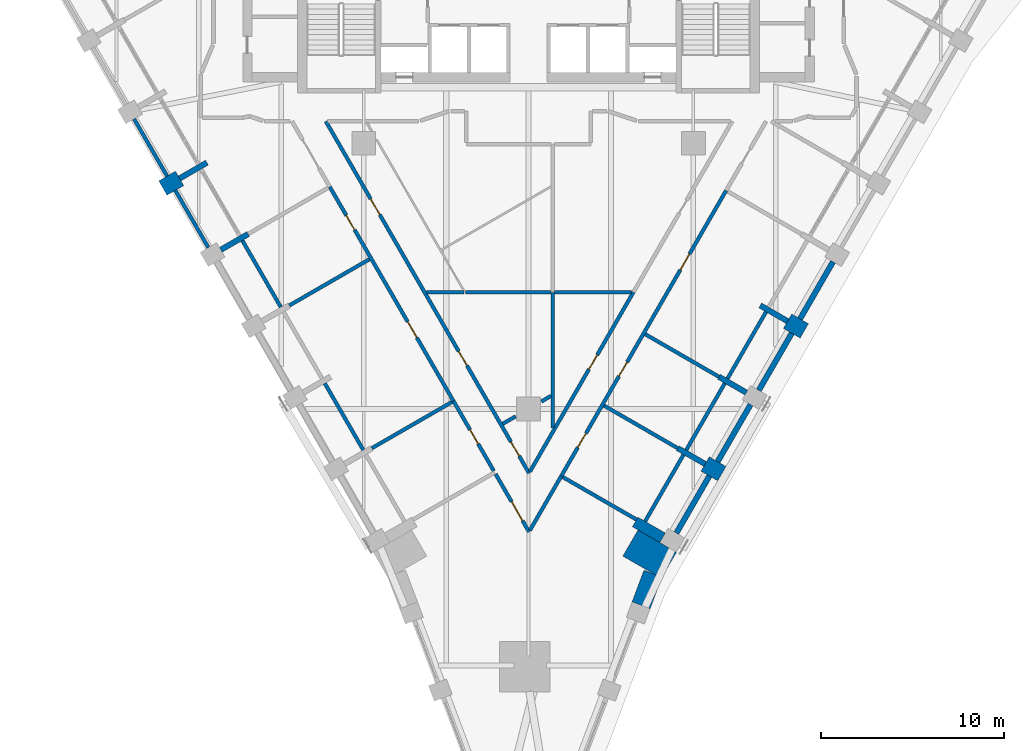
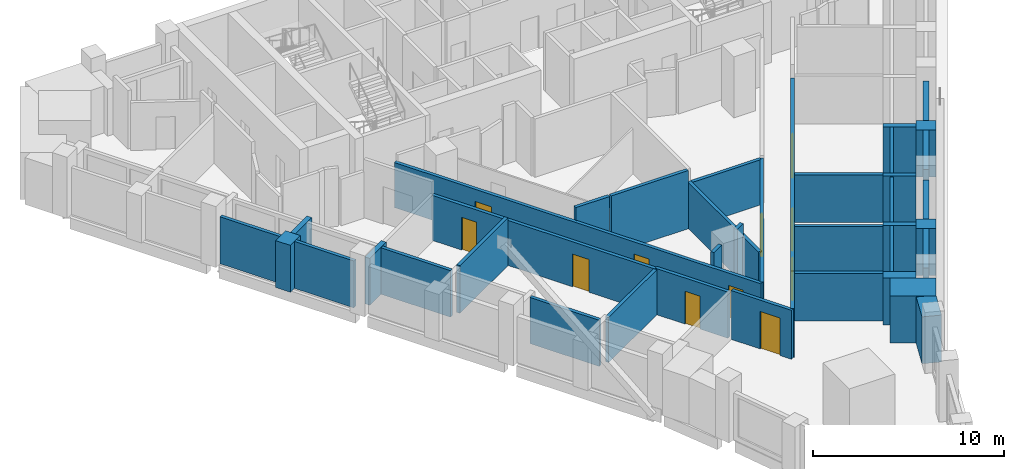
# One storey, part 3 of 10: 40 walls, 11 doors, 11 openings.
"""IFC4 building model written with IfcOpenShell, lengths in metres."""

from ifc_helpers import new_model, si_unit, direction, frame, frame_2d, origin, place, context, subcontext, project, spatial, polyline, rectangle, outline, extrude, material, layer, layer_set, type_object, element, fill, save


model = new_model("IFC4")

# Units and contexts
model_context = context("Model", 3, precision=1e-05, world=origin(), true_north=direction((0.0, 1.0)))
body_context = subcontext(model_context, "Body", "Model", "MODEL_VIEW")
ifc_project = project(units=[si_unit("LENGTHUNIT", "METRE"), si_unit("AREAUNIT", "SQUARE_METRE"), si_unit("VOLUMEUNIT", "CUBIC_METRE"), si_unit("PLANEANGLEUNIT", "RADIAN"), si_unit("MASSUNIT", "GRAM", prefix="KILO")], contexts=[model_context])

# Site, building, storey
site_placement = place(None, origin())
site = spatial("IfcSite", under=ifc_project, at=site_placement, CompositionType="ELEMENT")
building_placement = place(site_placement, origin())
building = spatial("IfcBuilding", under=site, at=building_placement, Name="Calabash Gate Tower", CompositionType="ELEMENT")
storey_placement = place(building_placement, frame((0.0, 0.0, 144.60009765625)))
storey = spatial("IfcBuildingStorey", under=building, at=storey_placement, Name="L33", CompositionType="ELEMENT", Elevation=144.60009765625)

# Walls
ifc_material_1 = material(Name="Terracotta brick masonry, exposed face", Category="masonry")
ifc_layer_1 = layer(ifc_material_1, 2.425048828125)
ifc_layer_set_1 = layer_set([ifc_layer_1], Name="Brick corner mass wall 2425")
wall_type_1 = type_object("IfcWallType", Name="Brick corner mass wall 2425", PredefinedType="SOLIDWALL", material=ifc_layer_set_1)
wall_1_placement = place(storey_placement, origin())
element("IfcWall", 1, at=wall_1_placement, inside=storey, type_object=wall_type_1, Name="Brick corner pier S09 2", PredefinedType="SOLIDWALL", context=body_context, shape_type="SweptSolid", body=[
    extrude(outline(polyline([(8.0751953125, -19.819091796875), (5.97509765625, -18.6064453125), (5.14990234375, -20.035888671875), (7.25, -21.248291015625), (8.0751953125, -19.819091796875)])), origin(), (0.0, 0.0, 1.0), 3.0),
])
ifc_material_2 = material(Name="Terracotta brick masonry, exposed face", Category="masonry")
ifc_layer_2 = layer(ifc_material_2, 1.050048828125)
ifc_layer_set_2 = layer_set([ifc_layer_2], Name="Brick end wall 1050")
wall_type_2 = type_object("IfcWallType", Name="Brick end wall 1050", PredefinedType="SOLIDWALL", material=ifc_layer_set_2)
for number, where, z_axis, x_axis, name in (
    (2, (-19.959716796875, 0.05615234375, 0.0), (0.0, 0.0, 1.0), (0.865988129768, 0.500064554934, 0.0), "Brick pier S09 SW0.3"),
    (3, (9.640869140625, -15.00732421875, 0.0), (0.0, 0.0, 1.0), (0.866088799389, -0.499890179513, 0.0), "Brick pier S09 SE4.1"),
    (4, (15.05029296875, -7.738037109375, 0.0), (0.0, 0.0, 1.0), (-0.865988129768, 0.500064554934, 0.0), "Brick pier S09 SE4.3"),
):
    element("IfcWall", number, at=place(storey_placement, frame(where, z_axis=z_axis, x_axis=x_axis)), inside=storey, type_object=wall_type_2, Name=name, PredefinedType="SOLIDWALL", context=body_context, shape_type="SweptSolid", body=[
        extrude(rectangle(XDim=1.050048828125, YDim=0.89990234375, at=frame_2d((0.52490234375, 0.0))), origin(), (0.0, 0.0, 1.0), 3.0),
    ])
wall_2_placement = place(storey_placement, origin())
element("IfcWall", 5, at=wall_2_placement, inside=storey, type_object=wall_type_2, Name="Brick end wall S09 3", PredefinedType="SOLIDWALL", context=body_context, shape_type="SweptSolid", body=[
    extrude(outline(polyline([(6.303955078125, -20.80126953125), (5.653564453125, -22.53125), (5.65380859375, -22.53125), (5.65380859375, -22.531005859375), (6.636474609375, -22.900390625), (7.271484375, -21.2109375), (7.25, -21.248291015625), (6.795166015625, -20.98583984375), (6.303955078125, -20.80126953125)])), origin(), (0.0, 0.0, 1.0), 3.0),
])
ifc_material_3 = material(Name="Terracotta brick masonry, exposed face", Category="masonry")
ifc_layer_3 = layer(ifc_material_3, 0.300048828125)
ifc_layer_set_3 = layer_set([ifc_layer_3], Name="Brick infill panel wall 300")
wall_type_3 = type_object("IfcWallType", Name="Brick infill panel wall 300", PredefinedType="SOLIDWALL", material=ifc_layer_set_3)
wall_3_placement = place(storey_placement, frame((8.070556640625, -18.777099609375, 0.0), z_axis=(0.0, 0.0, 1.0), x_axis=(0.500012057535, 0.866018442252, 0.0)))
element("IfcWall", 6, at=wall_3_placement, inside=storey, type_object=wall_type_3, Name="Brick panel S09 SE4.1", PredefinedType="SOLIDWALL", context=body_context, shape_type="SweptSolid", body=[
    extrude(rectangle(XDim=3.60009765625, YDim=0.300048828125, at=frame_2d((1.800048828125, 0.0))), origin(), (0.0, 0.0, 1.0), 3.0),
])
wall_4_placement = place(storey_placement, frame((10.320556640625, -14.8798828125, 0.0), z_axis=(0.0, 0.0, 1.0), x_axis=(0.500012057535, 0.866018442252, 0.0)))
element("IfcWall", 7, at=wall_4_placement, inside=storey, type_object=wall_type_3, Name="Brick panel S09 SE4.2", PredefinedType="SOLIDWALL", context=body_context, shape_type="SweptSolid", body=[
    extrude(rectangle(XDim=3.60009765625, YDim=0.300048828125, at=frame_2d((1.800048828125, 0.0))), origin(), (0.0, 0.0, 1.0), 2.949951171875),
])
for number, where, z_axis, x_axis, name in (
    (8, (12.570556640625, -10.98291015625, 0.0), (0.0, 0.0, 1.0), (0.500012057535, 0.866018442252, 0.0), "Brick panel S09 SE4.3"),
    (9, (14.820556640625, -7.085693359375, 0.0), (0.0, 0.0, 1.0), (0.500012057535, 0.866018442252, 0.0), "Brick panel S09 SE4.4"),
):
    element("IfcWall", number, at=place(storey_placement, frame(where, z_axis=z_axis, x_axis=x_axis)), inside=storey, type_object=wall_type_3, Name=name, PredefinedType="SOLIDWALL", context=body_context, shape_type="SweptSolid", body=[
        extrude(rectangle(XDim=3.60009765625, YDim=0.300048828125, at=frame_2d((1.800048828125, 0.0))), origin(), (0.0, 0.0, 1.0), 3.0),
    ])
ifc_material_4 = material(Name="Terracotta brick masonry, exposed face", Category="masonry")
ifc_layer_4 = layer(ifc_material_4, 0.300048828125)
ifc_layer_set_4 = layer_set([ifc_layer_4], Name="Brick loggia cheek wall 300")
wall_type_4 = type_object("IfcWallType", Name="Brick loggia cheek wall 300", PredefinedType="SOLIDWALL", material=ifc_layer_set_4)
wall_5_placement = place(storey_placement, frame((-19.05029296875, 0.581298828125, 0.0), z_axis=(0.0, 0.0, 1.0), x_axis=(0.866013532718, 0.500020560727, 0.0)))
element("IfcWall", 10, at=wall_5_placement, inside=storey, type_object=wall_type_4, Name="Loggia cheek S09 SW0.3", PredefinedType="SOLIDWALL", context=body_context, shape_type="SweptSolid", body=[
    extrude(rectangle(XDim=1.72509765625, YDim=0.300048828125, at=frame_2d((0.862548828125, 0.0))), origin(), (0.0, 0.0, 1.0), 3.0),
])
wall_6_placement = place(storey_placement, frame((-16.798583984375, -3.31494140625, 0.0), z_axis=(0.0, 0.0, 1.0), x_axis=(0.866010975815, 0.500024989144, 0.0)))
element("IfcWall", 11, at=wall_6_placement, inside=storey, type_object=wall_type_4, Name="Loggia cheek S09 SW0.4", PredefinedType="SOLIDWALL", context=body_context, shape_type="SweptSolid", body=[
    extrude(rectangle(XDim=1.72314453125, YDim=0.300048828125, at=frame_2d((0.861572265625, 0.0))), origin(), (0.0, 0.0, 1.0), 3.0),
])
wall_7_placement = place(storey_placement, frame((7.31591796875, -19.0341796875, 0.0), z_axis=(0.0, 0.0, 1.0), x_axis=(-0.866013532718, 0.500020560727, 0.0)))
element("IfcWall", 12, at=wall_7_placement, inside=storey, type_object=wall_type_4, Name="Loggia cheek S09 SE4.0", PredefinedType="SOLIDWALL", context=body_context, shape_type="SweptSolid", body=[
    extrude(rectangle(XDim=1.72509765625, YDim=0.60009765625, at=frame_2d((0.862548828125, 0.0))), origin(), (0.0, 0.0, 1.0), 3.0),
])
for number, where, z_axis, x_axis, name in (
    (13, (9.640869140625, -15.00732421875, 0.0), (0.0, 0.0, 1.0), (-0.866013532718, 0.500020560727, 0.0), "Loggia cheek S09 SE4.1"),
    (14, (11.890869140625, -11.110107421875, 0.0), (0.0, 0.0, 1.0), (-0.866013532718, 0.500020560727, 0.0), "Loggia cheek S09 SE4.2"),
):
    element("IfcWall", number, at=place(storey_placement, frame(where, z_axis=z_axis, x_axis=x_axis)), inside=storey, type_object=wall_type_4, Name=name, PredefinedType="SOLIDWALL", context=body_context, shape_type="SweptSolid", body=[
        extrude(rectangle(XDim=1.72509765625, YDim=0.300048828125, at=frame_2d((0.862548828125, 0.0))), origin(), (0.0, 0.0, 1.0), 3.0),
    ])
wall_8_placement = place(storey_placement, frame((12.64697265625, -6.3505859375, 0.0), z_axis=(0.0, 0.0, 1.0), x_axis=(0.866074815912, -0.499914405916, 0.0)))
element("IfcWall", 15, at=wall_8_placement, inside=storey, type_object=wall_type_4, Name="Loggia cheek S09 SE4.3", PredefinedType="SOLIDWALL", context=body_context, shape_type="SweptSolid", body=[
    extrude(rectangle(XDim=1.724853515625, YDim=0.300048828125, at=frame_2d((0.8623046875, 0.0))), origin(), (0.0, 0.0, 1.0), 3.0),
])

# Wall, opening, door
ifc_material_5 = material(Name="Gypsum board on steel studs, mineral wool", Category="steel")
ifc_layer_5 = layer(ifc_material_5, 0.199951171875)
ifc_layer_set_5 = layer_set([ifc_layer_5], Name="Partition 200 gypsum board EI 60")
wall_type_5 = type_object("IfcWallType", Name="Partition 200 gypsum board EI 60", PredefinedType="PARTITIONING", material=ifc_layer_set_5)
wall_9_placement = place(storey_placement, frame((-1.7978515625, -15.5546875, 0.0), z_axis=(0.0, 0.0, 1.0), x_axis=(0.500381369408, -0.865805108064, 0.0)))
wall_9 = element("IfcWall", 16, at=wall_9_placement, inside=storey, type_object=wall_type_5, Name="Partition", PredefinedType="PARTITIONING", context=body_context, shape_type="SweptSolid", body=[
    extrude(rectangle(XDim=3.645263671875, YDim=0.199951171875, at=frame_2d((1.82275390625, 0.0))), origin(), (0.0, 0.0, 1.0), 3.1279296875),
])
opening_1_placement = place(wall_9_placement, frame((1.74462890625, 0.0, 0.0)))
opening_1 = element("IfcOpeningElement", 17, at=opening_1_placement, cuts=wall_9, Name="Opening 33-35-016", PredefinedType="OPENING", context=body_context, shape_type="SweptSolid", body=[
    extrude(rectangle(XDim=1.199951171875, YDim=2.39990234375, at=frame_2d((0.60009765625, 1.199951171875))), frame((0.0, 0.10986328125, 0.0), z_axis=(0.0, -1.0, 0.0), x_axis=(1.0, 0.0, 0.0)), (0.0, 0.0, 1.0), 0.219970703125),
])
ifc_material_6 = material(Name="Steel fire door set with fire-resisting glazing", Category="steel")
door_type_1 = type_object("IfcDoorType", Name="OD3 Boardroom door 1200x2400", OperationType="NOTDEFINED", PredefinedType="DOOR", material=ifc_material_6)
door_1_placement = place(opening_1_placement, origin())
door_1 = element("IfcDoor", 18, at=door_1_placement, inside=storey, type_object=door_type_1, Name="Boardroom door", OperationType="SINGLE_SWING_RIGHT", OverallHeight=2.39990234375, OverallWidth=1.199951171875, PredefinedType="DOOR", context=body_context, shape_type="SweptSolid", body=[
    extrude(rectangle(XDim=1.199951171875, YDim=2.39990234375, at=frame_2d((0.60009765625, 1.199951171875))), frame((0.0, 0.02490234375, 0.0), z_axis=(0.0, -1.0, 0.0), x_axis=(1.0, 0.0, 0.0)), (0.0, 0.0, 1.0), 0.050048828125),
])
fill(opening_1, door_1)

# Walls
wall_10_placement = place(storey_placement, frame((1.869384765625, -15.71875, 0.0), z_axis=(0.0, 0.0, 1.0), x_axis=(0.866183837695, -0.499725483956, 0.0)))
element("IfcWall", 19, at=wall_10_placement, inside=storey, type_object=wall_type_5, Name="Partition", PredefinedType="PARTITIONING", context=body_context, shape_type="SweptSolid", body=[
    extrude(rectangle(XDim=4.6494140625, YDim=0.199951171875, at=frame_2d((2.32470703125, 0.0))), origin(), (0.0, 0.0, 1.0), 3.0517578125),
])
wall_11_placement = place(storey_placement, frame((0.076171875, -18.624267578125, 0.0), z_axis=(0.0, 0.0, 1.0), x_axis=(0.500452706258, 0.865763875892, 0.0)))
element("IfcWall", 20, at=wall_11_placement, inside=storey, type_object=wall_type_5, Name="Partition", PredefinedType="PARTITIONING", context=body_context, shape_type="SweptSolid", body=[
    extrude(rectangle(XDim=3.414306640625, YDim=0.199951171875, at=frame_2d((1.70703125, 0.0))), origin(), (0.0, 0.0, 1.0), 3.1279296875),
])

# Wall, opening, door
wall_12_placement = place(storey_placement, frame((0.076171875, -15.423095703125, 0.0), z_axis=(0.0, 0.0, 1.0), x_axis=(0.499393409799, 0.866375335666, 0.0)))
wall_12 = element("IfcWall", 21, at=wall_12_placement, inside=storey, type_object=wall_type_5, Name="Partition", PredefinedType="PARTITIONING", context=body_context, shape_type="SweptSolid", body=[
    extrude(rectangle(XDim=11.30615234375, YDim=0.199951171875, at=frame_2d((5.653076171875, 0.0))), origin(), (0.0, 0.0, 1.0), 2.884033203125),
])
opening_2_placement = place(wall_12_placement, frame((6.455078125, 0.0, 0.0)))
opening_2 = element("IfcOpeningElement", 22, at=opening_2_placement, cuts=wall_12, Name="Opening 33-35-011", PredefinedType="OPENING", context=body_context, shape_type="SweptSolid", body=[
    extrude(rectangle(XDim=0.89990234375, YDim=2.10009765625, at=frame_2d((0.449951171875, 1.050048828125))), frame((0.0, 0.10986328125, 0.0), z_axis=(0.0, -1.0, 0.0), x_axis=(1.0, 0.0, 0.0)), (0.0, 0.0, 1.0), 0.219970703125),
])
ifc_material_7 = material(Name="Steel fire door set with fire-resisting glazing", Category="steel")
door_type_2 = type_object("IfcDoorType", Name="SD3 Store door 900x2100", OperationType="NOTDEFINED", PredefinedType="DOOR", material=ifc_material_7)
door_2_placement = place(opening_2_placement, origin())
door_2 = element("IfcDoor", 23, at=door_2_placement, inside=storey, type_object=door_type_2, Name="Store door", OperationType="SINGLE_SWING_RIGHT", OverallHeight=2.10009765625, OverallWidth=0.89990234375, PredefinedType="DOOR", context=body_context, shape_type="SweptSolid", body=[
    extrude(rectangle(XDim=0.89990234375, YDim=2.10009765625, at=frame_2d((0.449951171875, 1.050048828125))), frame((0.0, 0.02490234375, 0.0), z_axis=(0.0, -1.0, 0.0), x_axis=(1.0, 0.0, 0.0)), (0.0, 0.0, 1.0), 0.050048828125),
])
fill(opening_2, door_2)

wall_13_placement = place(storey_placement, frame((-4.09716796875, -11.572509765625, 0.0), z_axis=(0.0, 0.0, 1.0), x_axis=(0.500013981145, -0.866017331616, 0.0)))
wall_13 = element("IfcWall", 24, at=wall_13_placement, inside=storey, type_object=wall_type_5, Name="Partition", PredefinedType="PARTITIONING", context=body_context, shape_type="SweptSolid", body=[
    extrude(rectangle(XDim=4.397705078125, YDim=0.199951171875, at=frame_2d((2.19873046875, 0.0))), origin(), (0.0, 0.0, 1.0), 2.949951171875),
])
opening_3_placement = place(wall_13_placement, frame((1.798095703125, 0.0, 0.0)))
opening_3 = element("IfcOpeningElement", 25, at=opening_3_placement, cuts=wall_13, Name="Opening 33-35-003", PredefinedType="OPENING", context=body_context, shape_type="SweptSolid", body=[
    extrude(rectangle(XDim=0.89990234375, YDim=2.10009765625, at=frame_2d((0.449951171875, 1.050048828125))), frame((0.0, 0.10986328125, 0.0), z_axis=(0.0, -1.0, 0.0), x_axis=(1.0, 0.0, 0.0)), (0.0, 0.0, 1.0), 0.219970703125),
])
door_3_placement = place(opening_3_placement, origin())
door_3 = element("IfcDoor", 26, at=door_3_placement, inside=storey, type_object=door_type_2, Name="Store door", OperationType="SINGLE_SWING_LEFT", OverallHeight=2.10009765625, OverallWidth=0.89990234375, PredefinedType="DOOR", context=body_context, shape_type="SweptSolid", body=[
    extrude(rectangle(XDim=0.89990234375, YDim=2.10009765625, at=frame_2d((0.449951171875, 1.050048828125))), frame((0.0, 0.02490234375, 0.0), z_axis=(0.0, -1.0, 0.0), x_axis=(1.0, 0.0, 0.0)), (0.0, 0.0, 1.0), 0.050048828125),
])
fill(opening_3, door_3)

# Walls
wall_14_placement = place(storey_placement, frame((-1.412841796875, -12.813720703125, 0.0), z_axis=(0.0, 0.0, 1.0), x_axis=(0.866906303058, 0.498471124258, 0.0)))
element("IfcWall", 27, at=wall_14_placement, inside=storey, type_object=wall_type_5, Name="Partition", PredefinedType="PARTITIONING", context=body_context, shape_type="SweptSolid", body=[
    extrude(rectangle(XDim=0.822265625, YDim=0.199951171875, at=frame_2d((0.4111328125, 0.0))), origin(), (0.0, 0.0, 1.0), 3.72998046875),
])
wall_15_placement = place(storey_placement, frame((4.12109375, -11.818115234375, 0.0), z_axis=(0.0, 0.0, 1.0), x_axis=(0.865845361661, -0.500311712526, 0.0)))
element("IfcWall", 28, at=wall_15_placement, inside=storey, type_object=wall_type_5, Name="Partition", PredefinedType="PARTITIONING", context=body_context, shape_type="SweptSolid", body=[
    extrude(rectangle(XDim=4.64990234375, YDim=0.199951171875, at=frame_2d((2.324951171875, 0.0))), origin(), (0.0, 0.0, 1.0), 2.884033203125),
])
wall_16_placement = place(storey_placement, frame((-8.556396484375, -14.14501953125, 0.0), z_axis=(0.0, 0.0, 1.0), x_axis=(0.866191221831, 0.499712684673, 0.0)))
element("IfcWall", 29, at=wall_16_placement, inside=storey, type_object=wall_type_5, Name="Partition", PredefinedType="PARTITIONING", context=body_context, shape_type="SweptSolid", body=[
    extrude(rectangle(XDim=5.04833984375, YDim=0.199951171875, at=frame_2d((2.524169921875, 0.0))), origin(), (0.0, 0.0, 1.0), 2.884033203125),
])
wall_17_placement = place(storey_placement, frame((0.699951171875, -11.595703125, 0.0), z_axis=(0.0, 0.0, 1.0), x_axis=(0.866015917575, 0.500016430238, 0.0)))
element("IfcWall", 30, at=wall_17_placement, inside=storey, type_object=wall_type_5, Name="Partition", PredefinedType="PARTITIONING", context=body_context, shape_type="SweptSolid", body=[
    extrude(rectangle(XDim=0.623046875, YDim=0.199951171875, at=frame_2d((0.3115234375, 0.0))), origin(), (0.0, 0.0, 1.0), 3.72998046875),
])

# Wall, openings, doors
wall_18_placement = place(storey_placement, frame((-10.84814453125, 0.12060546875, 0.0), z_axis=(0.0, 0.0, 1.0), x_axis=(0.499997969693, -0.866026575979, 0.0)))
wall_18 = element("IfcWall", 31, at=wall_18_placement, inside=storey, type_object=wall_type_5, Name="Partition", PredefinedType="PARTITIONING", context=body_context, shape_type="SweptSolid", body=[
    extrude(rectangle(XDim=13.5, YDim=0.199951171875, at=frame_2d((6.75, 0.0))), origin(), (0.0, 0.0, 1.0), 2.884033203125),
])
opening_4_placement = place(wall_18_placement, frame((1.7998046875, 0.0, 0.0)))
opening_4 = element("IfcOpeningElement", 32, at=opening_4_placement, cuts=wall_18, Name="Opening 33-35-001", PredefinedType="OPENING", context=body_context, shape_type="SweptSolid", body=[
    extrude(rectangle(XDim=0.89990234375, YDim=2.10009765625, at=frame_2d((0.449951171875, 1.050048828125))), frame((0.0, 0.10986328125, 0.0), z_axis=(0.0, -1.0, 0.0), x_axis=(1.0, 0.0, 0.0)), (0.0, 0.0, 1.0), 0.219970703125),
])
opening_5_placement = place(wall_18_placement, frame((8.5, 0.0, 0.0)))
opening_5 = element("IfcOpeningElement", 33, at=opening_5_placement, cuts=wall_18, Name="Opening 33-35-002", PredefinedType="OPENING", context=body_context, shape_type="SweptSolid", body=[
    extrude(rectangle(XDim=1.0, YDim=2.10009765625, at=frame_2d((0.5, 1.050048828125))), frame((0.0, 0.10986328125, 0.0), z_axis=(0.0, -1.0, 0.0), x_axis=(1.0, 0.0, 0.0)), (0.0, 0.0, 1.0), 0.219970703125),
])
ifc_material_8 = material(Name="Steel fire door set with fire-resisting glazing", Category="steel")
door_type_3 = type_object("IfcDoorType", Name="LD2 Meeting room door 1000x2100", OperationType="NOTDEFINED", PredefinedType="DOOR", material=ifc_material_8)
door_4_placement = place(opening_5_placement, origin())
door_4 = element("IfcDoor", 34, at=door_4_placement, inside=storey, type_object=door_type_3, Name="Meeting room door", OperationType="SINGLE_SWING_RIGHT", OverallHeight=2.10009765625, OverallWidth=1.0, PredefinedType="DOOR", context=body_context, shape_type="SweptSolid", body=[
    extrude(rectangle(XDim=1.0, YDim=2.10009765625, at=frame_2d((0.5, 1.050048828125))), frame((0.0, 0.02490234375, 0.0), z_axis=(0.0, -1.0, 0.0), x_axis=(1.0, 0.0, 0.0)), (0.0, 0.0, 1.0), 0.050048828125),
])
fill(opening_5, door_4)
ifc_material_9 = material(Name="Painted timber door", Category="wood")
door_type_4 = type_object("IfcDoorType", Name="OD1 Office door 900x2100", OperationType="NOTDEFINED", PredefinedType="DOOR", material=ifc_material_9)
door_5_placement = place(opening_4_placement, origin())
door_5 = element("IfcDoor", 35, at=door_5_placement, inside=storey, type_object=door_type_4, Name="Office door", OperationType="SINGLE_SWING_RIGHT", OverallHeight=2.10009765625, OverallWidth=0.89990234375, PredefinedType="DOOR", context=body_context, shape_type="SweptSolid", body=[
    extrude(rectangle(XDim=0.89990234375, YDim=2.10009765625, at=frame_2d((0.449951171875, 1.050048828125))), frame((0.0, 0.02490234375, 0.0), z_axis=(0.0, -1.0, 0.0), x_axis=(1.0, 0.0, 0.0)), (0.0, 0.0, 1.0), 0.050048828125),
])
fill(opening_4, door_5)

# Walls
wall_19_placement = place(storey_placement, frame((6.37109375, -7.9208984375, 0.0), z_axis=(0.0, 0.0, 1.0), x_axis=(0.865845361661, -0.500311712526, 0.0)))
element("IfcWall", 36, at=wall_19_placement, inside=storey, type_object=wall_type_5, Name="Partition", PredefinedType="PARTITIONING", context=body_context, shape_type="SweptSolid", body=[
    extrude(rectangle(XDim=4.64990234375, YDim=0.199951171875, at=frame_2d((2.324951171875, 0.0))), origin(), (0.0, 0.0, 1.0), 3.0517578125),
])
wall_20_placement = place(storey_placement, frame((-5.577392578125, -5.627197265625, 0.0), z_axis=(0.0, 0.0, 1.0), x_axis=(1.0, 0.0, 0.0)))
element("IfcWall", 37, at=wall_20_placement, inside=storey, type_object=wall_type_5, Name="Partition", PredefinedType="PARTITIONING", context=body_context, shape_type="SweptSolid", body=[
    extrude(rectangle(XDim=2.04150390625, YDim=0.199951171875, at=frame_2d((1.020751953125, 0.0))), origin(), (0.0, 0.0, 1.0), 3.72998046875),
])
wall_21_placement = place(storey_placement, frame((-3.434814453125, -5.62890625, 0.0), z_axis=(0.0, 0.0, 1.0), x_axis=(0.999999932729, 0.000366799388, 0.0)))
element("IfcWall", 38, at=wall_21_placement, inside=storey, type_object=wall_type_5, Name="Partition", PredefinedType="PARTITIONING", context=body_context, shape_type="SweptSolid", body=[
    extrude(rectangle(XDim=4.6591796875, YDim=0.199951171875, at=frame_2d((2.32958984375, 0.0))), origin(), (0.0, 0.0, 1.0), 3.72998046875),
])
wall_22_placement = place(storey_placement, frame((1.328125, -13.05078125, 0.0), z_axis=(0.0, 0.0, 1.0), x_axis=(0.0, 1.0, 0.0)))
element("IfcWall", 39, at=wall_22_placement, inside=storey, type_object=wall_type_5, Name="Partition", PredefinedType="PARTITIONING", context=body_context, shape_type="SweptSolid", body=[
    extrude(rectangle(XDim=7.419921875, YDim=0.199951171875, at=frame_2d((3.7099609375, 0.0))), origin(), (0.0, 0.0, 1.0), 2.949951171875),
])
wall_23_placement = place(storey_placement, frame((1.42822265625, -5.630859375, 0.0), z_axis=(0.0, 0.0, 1.0), x_axis=(1.0, 0.0, 0.0)))
element("IfcWall", 40, at=wall_23_placement, inside=storey, type_object=wall_type_5, Name="Partition", PredefinedType="PARTITIONING", context=body_context, shape_type="SweptSolid", body=[
    extrude(rectangle(XDim=4.199462890625, YDim=0.199951171875, at=frame_2d((2.099609375, 0.0))), origin(), (0.0, 0.0, 1.0), 2.884033203125),
])
wall_24_placement = place(storey_placement, frame((-13.056396484375, -6.3505859375, 0.0), z_axis=(0.0, 0.0, 1.0), x_axis=(0.866221803303, 0.49965967166, 0.0)))
element("IfcWall", 41, at=wall_24_placement, inside=storey, type_object=wall_type_5, Name="Partition", PredefinedType="PARTITIONING", context=body_context, shape_type="SweptSolid", body=[
    extrude(rectangle(XDim=5.0498046875, YDim=0.199951171875, at=frame_2d((2.52490234375, 0.0))), origin(), (0.0, 0.0, 1.0), 3.0517578125),
])

# Wall, openings, doors
wall_25_placement = place(storey_placement, frame((1.78515625, -15.667724609375, 0.0), z_axis=(0.0, 0.0, 1.0), x_axis=(0.5000018851, 0.866024315419, 0.0)))
wall_25 = element("IfcWall", 42, at=wall_25_placement, inside=storey, type_object=wall_type_5, Name="Partition", PredefinedType="PARTITIONING", context=body_context, shape_type="SweptSolid", body=[
    extrude(rectangle(XDim=18.0, YDim=0.199951171875, at=frame_2d((9.0, 0.0))), origin(), (0.0, 0.0, 1.0), 2.884033203125),
])
opening_6_placement = place(wall_25_placement, frame((1.7998046875, 0.0, 0.0)))
opening_6 = element("IfcOpeningElement", 43, at=opening_6_placement, cuts=wall_25, Name="Opening 33-35-004", PredefinedType="OPENING", context=body_context, shape_type="SweptSolid", body=[
    extrude(rectangle(XDim=0.89990234375, YDim=2.10009765625, at=frame_2d((0.449951171875, 1.050048828125))), frame((0.0, 0.10986328125, 0.0), z_axis=(0.0, -1.0, 0.0), x_axis=(1.0, 0.0, 0.0)), (0.0, 0.0, 1.0), 0.219970703125),
])
opening_7_placement = place(wall_25_placement, frame((6.300048828125, 0.0, 0.0)))
opening_7 = element("IfcOpeningElement", 44, at=opening_7_placement, cuts=wall_25, Name="Opening 33-35-005", PredefinedType="OPENING", context=body_context, shape_type="SweptSolid", body=[
    extrude(rectangle(XDim=0.89990234375, YDim=2.10009765625, at=frame_2d((0.449951171875, 1.050048828125))), frame((0.0, 0.10986328125, 0.0), z_axis=(0.0, -1.0, 0.0), x_axis=(1.0, 0.0, 0.0)), (0.0, 0.0, 1.0), 0.219970703125),
])
opening_8_placement = place(wall_25_placement, frame((13.0, 0.0, 0.0)))
opening_8 = element("IfcOpeningElement", 45, at=opening_8_placement, cuts=wall_25, Name="Opening 33-35-006", PredefinedType="OPENING", context=body_context, shape_type="SweptSolid", body=[
    extrude(rectangle(XDim=1.0, YDim=2.10009765625, at=frame_2d((0.5, 1.050048828125))), frame((0.0, 0.10986328125, 0.0), z_axis=(0.0, -1.0, 0.0), x_axis=(1.0, 0.0, 0.0)), (0.0, 0.0, 1.0), 0.219970703125),
])
door_6_placement = place(opening_8_placement, origin())
door_6 = element("IfcDoor", 46, at=door_6_placement, inside=storey, type_object=door_type_3, Name="Meeting room door", OperationType="SINGLE_SWING_RIGHT", OverallHeight=2.10009765625, OverallWidth=1.0, PredefinedType="DOOR", context=body_context, shape_type="SweptSolid", body=[
    extrude(rectangle(XDim=1.0, YDim=2.10009765625, at=frame_2d((0.5, 1.050048828125))), frame((0.0, 0.02490234375, 0.0), z_axis=(0.0, -1.0, 0.0), x_axis=(1.0, 0.0, 0.0)), (0.0, 0.0, 1.0), 0.050048828125),
])
fill(opening_8, door_6)
door_7_placement = place(opening_6_placement, origin())
door_7 = element("IfcDoor", 47, at=door_7_placement, inside=storey, type_object=door_type_4, Name="Office door", OperationType="SINGLE_SWING_RIGHT", OverallHeight=2.10009765625, OverallWidth=0.89990234375, PredefinedType="DOOR", context=body_context, shape_type="SweptSolid", body=[
    extrude(rectangle(XDim=0.89990234375, YDim=2.10009765625, at=frame_2d((0.449951171875, 1.050048828125))), frame((0.0, 0.02490234375, 0.0), z_axis=(0.0, -1.0, 0.0), x_axis=(1.0, 0.0, 0.0)), (0.0, 0.0, 1.0), 0.050048828125),
])
fill(opening_6, door_7)
door_8_placement = place(opening_7_placement, origin())
door_8 = element("IfcDoor", 48, at=door_8_placement, inside=storey, type_object=door_type_4, Name="Office door", OperationType="SINGLE_SWING_RIGHT", OverallHeight=2.10009765625, OverallWidth=0.89990234375, PredefinedType="DOOR", context=body_context, shape_type="SweptSolid", body=[
    extrude(rectangle(XDim=0.89990234375, YDim=2.10009765625, at=frame_2d((0.449951171875, 1.050048828125))), frame((0.0, 0.02490234375, 0.0), z_axis=(0.0, -1.0, 0.0), x_axis=(1.0, 0.0, 0.0)), (0.0, 0.0, 1.0), 0.050048828125),
])
fill(opening_7, door_8)

wall_26_placement = place(storey_placement, frame((-11.064453125, 3.69970703125, 0.0), z_axis=(0.0, 0.0, 1.0), x_axis=(0.500140059959, -0.865944525027, 0.0)))
wall_26 = element("IfcWall", 49, at=wall_26_placement, inside=storey, type_object=wall_type_5, Name="Partition", PredefinedType="PARTITIONING", context=body_context, shape_type="SweptSolid", body=[
    extrude(rectangle(XDim=22.181396484375, YDim=0.199951171875, at=frame_2d((11.0908203125, 0.0))), origin(), (0.0, 0.0, 1.0), 2.884033203125),
])
opening_9_placement = place(wall_26_placement, frame((20.205078125, 0.0, 0.0)))
opening_9 = element("IfcOpeningElement", 50, at=opening_9_placement, cuts=wall_26, Name="Opening 33-35-009", PredefinedType="OPENING", context=body_context, shape_type="SweptSolid", body=[
    extrude(rectangle(XDim=0.89990234375, YDim=2.10009765625, at=frame_2d((0.449951171875, 1.050048828125))), frame((0.0, 0.10986328125, 0.0), z_axis=(0.0, -1.0, 0.0), x_axis=(1.0, 0.0, 0.0)), (0.0, 0.0, 1.0), 0.219970703125),
])
opening_10_placement = place(wall_26_placement, frame((14.500244140625, 0.0, 0.0)))
opening_10 = element("IfcOpeningElement", 51, at=opening_10_placement, cuts=wall_26, Name="Opening 33-35-010", PredefinedType="OPENING", context=body_context, shape_type="SweptSolid", body=[
    extrude(rectangle(XDim=0.89990234375, YDim=2.10009765625, at=frame_2d((0.449951171875, 1.050048828125))), frame((0.0, 0.10986328125, 0.0), z_axis=(0.0, -1.0, 0.0), x_axis=(1.0, 0.0, 0.0)), (0.0, 0.0, 1.0), 0.219970703125),
])
opening_11_placement = place(wall_26_placement, frame((4.885986328125, 0.0, 0.0)))
opening_11 = element("IfcOpeningElement", 52, at=opening_11_placement, cuts=wall_26, Name="Opening 33-35-017", PredefinedType="OPENING", context=body_context, shape_type="SweptSolid", body=[
    extrude(rectangle(XDim=1.0, YDim=2.10009765625, at=frame_2d((0.5, 1.050048828125))), frame((0.0, 0.10986328125, 0.0), z_axis=(0.0, -1.0, 0.0), x_axis=(1.0, 0.0, 0.0)), (0.0, 0.0, 1.0), 0.219970703125),
])
door_9_placement = place(opening_9_placement, origin())
door_9 = element("IfcDoor", 53, at=door_9_placement, inside=storey, type_object=door_type_2, Name="Store door", OperationType="SINGLE_SWING_RIGHT", OverallHeight=2.10009765625, OverallWidth=0.89990234375, PredefinedType="DOOR", context=body_context, shape_type="SweptSolid", body=[
    extrude(rectangle(XDim=0.89990234375, YDim=2.10009765625, at=frame_2d((0.449951171875, 1.050048828125))), frame((0.0, 0.02490234375, 0.0), z_axis=(0.0, -1.0, 0.0), x_axis=(1.0, 0.0, 0.0)), (0.0, 0.0, 1.0), 0.050048828125),
])
fill(opening_9, door_9)
door_10_placement = place(opening_10_placement, origin())
door_10 = element("IfcDoor", 54, at=door_10_placement, inside=storey, type_object=door_type_2, Name="Store door", OperationType="SINGLE_SWING_RIGHT", OverallHeight=2.10009765625, OverallWidth=0.89990234375, PredefinedType="DOOR", context=body_context, shape_type="SweptSolid", body=[
    extrude(rectangle(XDim=0.89990234375, YDim=2.10009765625, at=frame_2d((0.449951171875, 1.050048828125))), frame((0.0, 0.02490234375, 0.0), z_axis=(0.0, -1.0, 0.0), x_axis=(1.0, 0.0, 0.0)), (0.0, 0.0, 1.0), 0.050048828125),
])
fill(opening_10, door_10)
ifc_material_10 = material(Name="Steel fire door set with fire-resisting glazing", Category="steel")
door_type_5 = type_object("IfcDoorType", Name="WD3 WC lobby door 1000x2100", OperationType="NOTDEFINED", PredefinedType="DOOR", material=ifc_material_10)
door_11_placement = place(opening_11_placement, origin())
door_11 = element("IfcDoor", 55, at=door_11_placement, inside=storey, type_object=door_type_5, Name="WC lobby door", OperationType="SINGLE_SWING_LEFT", OverallHeight=2.10009765625, OverallWidth=1.0, PredefinedType="DOOR", context=body_context, shape_type="SweptSolid", body=[
    extrude(rectangle(XDim=1.0, YDim=2.10009765625, at=frame_2d((0.5, 1.050048828125))), frame((0.0, 0.02490234375, 0.0), z_axis=(0.0, -1.0, 0.0), x_axis=(1.0, 0.0, 0.0)), (0.0, 0.0, 1.0), 0.050048828125),
])
fill(opening_11, door_11)

# Walls
ifc_material_11 = material(Name="Terracotta brick masonry, perforated", Category="masonry")
ifc_layer_6 = layer(ifc_material_11, 0.199951171875)
ifc_layer_set_6 = layer_set([ifc_layer_6], Name="Terracotta jaali screen A")
wall_type_6 = type_object("IfcWallType", Name="Terracotta jaali screen A", PredefinedType="SOLIDWALL", material=ifc_layer_set_6)
wall_27_placement = place(storey_placement, origin())
element("IfcWall", 56, at=wall_27_placement, inside=storey, type_object=wall_type_6, Name="SCREEN A S09 SW0.3", PredefinedType="SOLIDWALL", context=body_context, shape_type="SweptSolid", body=[
    extrude(outline(polyline([(-19.643310546875, 0.758544921875), (-21.44287109375, 3.87548828125), (-21.6162109375, 3.775390625), (-19.816650390625, 0.658447265625), (-19.643310546875, 0.758544921875)])), origin(), (0.0, 0.0, 1.0), 3.0),
])
wall_28_placement = place(storey_placement, frame((-19.280029296875, -0.071044921875, 0.0), z_axis=(0.0, 0.0, 1.0), x_axis=(0.500012057535, -0.866018442252, 0.0)))
element("IfcWall", 57, at=wall_28_placement, inside=storey, type_object=wall_type_6, Name="SCREEN A S09 SW0.4", PredefinedType="SOLIDWALL", context=body_context, shape_type="SweptSolid", body=[
    extrude(rectangle(XDim=3.60009765625, YDim=0.199951171875, at=frame_2d((1.800048828125, 0.0))), origin(), (0.0, 0.0, 1.0), 3.0),
])
ifc_material_12 = material(Name="Aluminium framed window wall with insulated spandrel", Category="aluminium")
ifc_layer_7 = layer(ifc_material_12, 0.199951171875)
ifc_layer_set_7 = layer_set([ifc_layer_7], Name="Window wall 200")
wall_type_7 = type_object("IfcWallType", Name="Window wall 200", PredefinedType="ELEMENTEDWALL", material=ifc_layer_set_7)
wall_29_placement = place(storey_placement, frame((-15.62109375, -2.808349609375, 0.0), z_axis=(0.0, 0.0, 1.0), x_axis=(0.49998411664, -0.866034573852, 0.0)))
element("IfcWall", 58, at=wall_29_placement, inside=storey, type_object=wall_type_7, Name="Window wall S09 SW0.5", PredefinedType="ELEMENTEDWALL", context=body_context, shape_type="SweptSolid", body=[
    extrude(rectangle(XDim=4.199951171875, YDim=0.199951171875, at=frame_2d((2.10009765625, 0.0))), origin(), (0.0, 0.0, 1.0), 2.973388671875),
])
wall_30_placement = place(storey_placement, frame((-11.12109375, -10.6025390625, 0.0), z_axis=(0.0, 0.0, 1.0), x_axis=(0.49998411664, -0.866034573852, 0.0)))
element("IfcWall", 59, at=wall_30_placement, inside=storey, type_object=wall_type_7, Name="Window wall S09 SW0.7", PredefinedType="ELEMENTEDWALL", context=body_context, shape_type="SweptSolid", body=[
    extrude(rectangle(XDim=4.199951171875, YDim=0.199951171875, at=frame_2d((2.10009765625, 0.0))), origin(), (0.0, 0.0, 1.0), 2.949951171875),
])
wall_31_placement = place(storey_placement, frame((6.361572265625, -18.136962890625, 0.0), z_axis=(0.0, 0.0, 1.0), x_axis=(0.500002543286, 0.866023935413, 0.0)))
element("IfcWall", 60, at=wall_31_placement, inside=storey, type_object=wall_type_7, Name="Window wall S09 SE4.1", PredefinedType="ELEMENTEDWALL", context=body_context, shape_type="SweptSolid", body=[
    extrude(rectangle(XDim=4.2001953125, YDim=0.199951171875, at=frame_2d((2.10009765625, 0.0))), origin(), (0.0, 0.0, 1.0), 3.0),
])
wall_32_placement = place(storey_placement, frame((8.611572265625, -14.23974609375, 0.0), z_axis=(0.0, 0.0, 1.0), x_axis=(0.500027713859, 0.866009402589, 0.0)))
element("IfcWall", 61, at=wall_32_placement, inside=storey, type_object=wall_type_7, Name="Window wall S09 SE4.2", PredefinedType="ELEMENTEDWALL", context=body_context, shape_type="SweptSolid", body=[
    extrude(rectangle(XDim=4.199951171875, YDim=0.199951171875, at=frame_2d((2.10009765625, 0.0))), origin(), (0.0, 0.0, 1.0), 2.949951171875),
])
wall_33_placement = place(storey_placement, frame((10.861572265625, -10.3427734375, 0.0), z_axis=(0.0, 0.0, 1.0), x_axis=(0.500002543286, 0.866023935413, 0.0)))
element("IfcWall", 62, at=wall_33_placement, inside=storey, type_object=wall_type_7, Name="Window wall S09 SE4.3", PredefinedType="ELEMENTEDWALL", context=body_context, shape_type="SweptSolid", body=[
    extrude(rectangle(XDim=4.2001953125, YDim=0.199951171875, at=frame_2d((2.10009765625, 0.0))), origin(), (0.0, 0.0, 1.0), 3.0),
])

save(model, "model.ifc")
